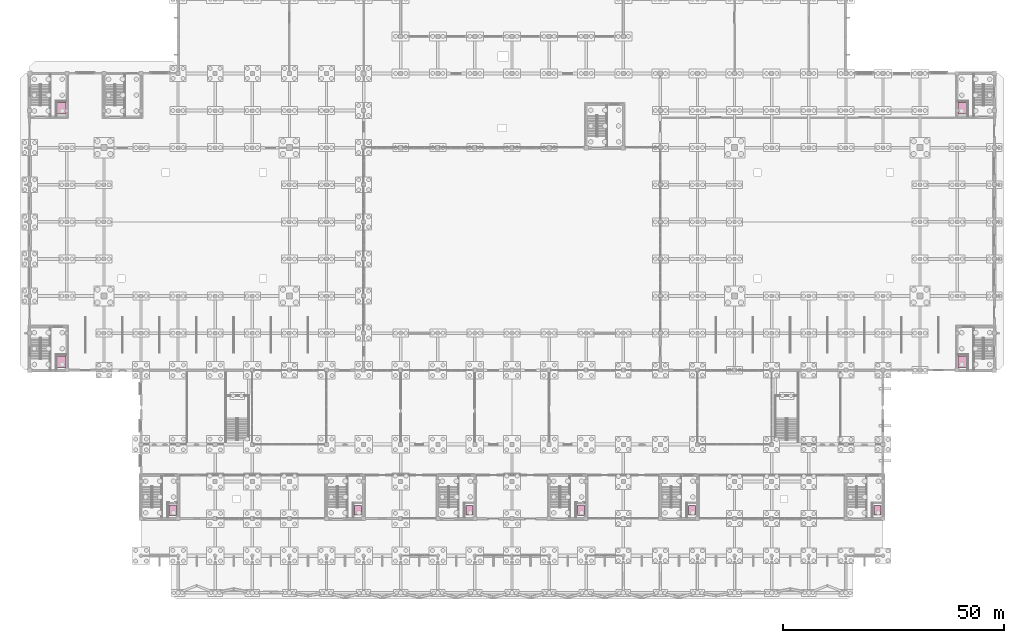
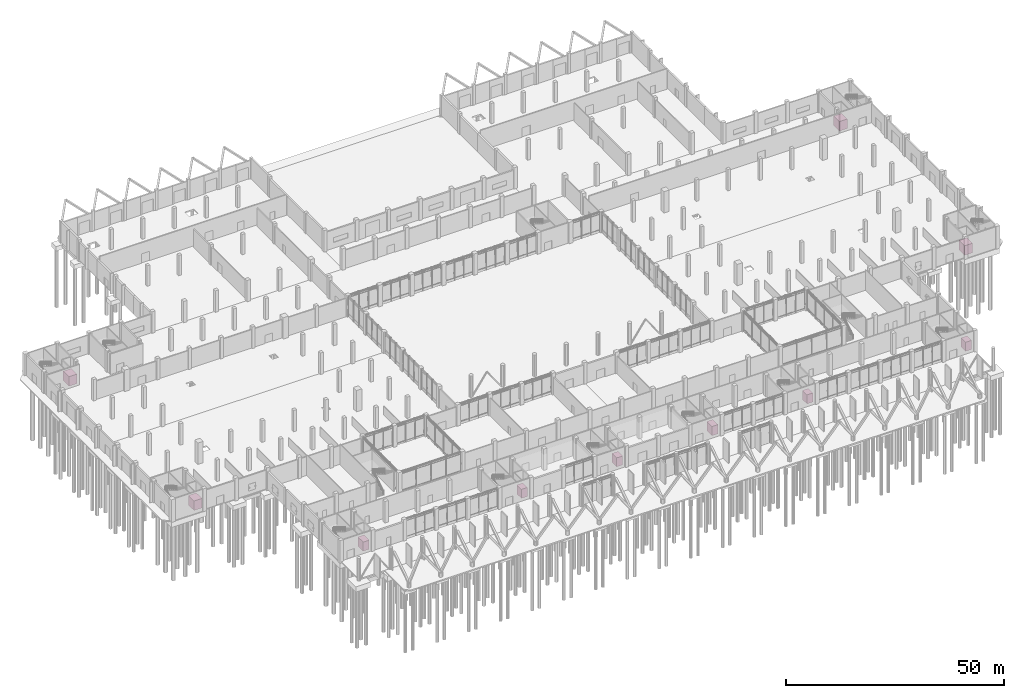
# One storey, part 72 of 72: 10 transport elements.
"""IFC4 building model written with IfcOpenShell, lengths in metres."""

from ifc_helpers import new_model, si_unit, direction, frame, origin, origin_2d, place, context, subcontext, project, spatial, rectangle, extrude, material, type_object, element, save


model = new_model("IFC4")

# Units and contexts
model_context = context("Model", 3, precision=1e-05, world=origin(), true_north=direction((0.0, 1.0)))
body_context = subcontext(model_context, "Body", "Model", "MODEL_VIEW")
ifc_project = project(units=[si_unit("LENGTHUNIT", "METRE"), si_unit("AREAUNIT", "SQUARE_METRE"), si_unit("VOLUMEUNIT", "CUBIC_METRE"), si_unit("PLANEANGLEUNIT", "RADIAN"), si_unit("MASSUNIT", "GRAM", prefix="KILO")], contexts=[model_context])

# Site, building, storey
site_placement = place(None, origin())
site = spatial("IfcSite", under=ifc_project, at=site_placement, CompositionType="ELEMENT")
building_placement = place(site_placement, origin())
building = spatial("IfcBuilding", under=site, at=building_placement, Name="Qawsi Khor Wholesale Market", CompositionType="ELEMENT")
storey_placement = place(building_placement, origin())
storey = spatial("IfcBuildingStorey", under=building, at=storey_placement, Name="L00", CompositionType="ELEMENT", Elevation=0.0)

# Transport elements
ifc_material_1 = material(Name="Fire-Rated Stainless Steel Car", Category="steel")
transport_element_type_1 = type_object("IfcTransportElementType", Name="Firefighting & Stretcher Lift 1600x2400 (1600 kg)", PredefinedType="ELEVATOR", material=ifc_material_1)
for number, where, z_axis, x_axis, name in (
    (1, (32.3798828125, 10.300048828125, 0.0), (0.0, 0.0, 1.0), (1.0, 0.0, 0.0), "Lift FF-01 (firefighting)"),
    (2, (124.780029296875, 10.300048828125, 0.0), (0.0, 0.0, 1.0), (1.0, 0.0, 0.0), "Lift FF-02 (firefighting)"),
):
    element("IfcTransportElement", number, at=place(storey_placement, frame(where, z_axis=z_axis, x_axis=x_axis)), inside=storey, type_object=transport_element_type_1, Name=name, PredefinedType="ELEVATOR", context=body_context, shape_type="SweptSolid", body=[
        extrude(rectangle(XDim=1.60009765625, YDim=2.39990234375, at=origin_2d()), origin(), (0.0, 0.0, 1.0), 2.550048828125),
    ])
ifc_material_2 = material(Name="Chequer-Plate Goods Lift Car", Category="steel")
transport_element_type_2 = type_object("IfcTransportElementType", Name="Heavy Goods Pallet Lift 2100x2600 (3500 kg)", PredefinedType="ELEVATOR", material=ifc_material_2)
for number, where, z_axis, x_axis, name in (
    (3, (7.179931640625, 43.89990234375, 0.0), (0.0, 0.0, 1.0), (1.0, 0.0, 0.0), "Lift GL-01 (goods)"),
    (4, (7.179931640625, 101.300048828125, 0.0), (0.0, 0.0, 1.0), (1.0, 0.0, 0.0), "Lift GL-02 (goods)"),
    (5, (211.219970703125, 43.89990234375, 0.0), (0.0, 0.0, 1.0), (1.0, 0.0, 0.0), "Lift GL-03 (goods)"),
    (6, (211.219970703125, 101.300048828125, 0.0), (0.0, 0.0, 1.0), (1.0, 0.0, 0.0), "Lift GL-04 (goods)"),
):
    element("IfcTransportElement", number, at=place(storey_placement, frame(where, z_axis=z_axis, x_axis=x_axis)), inside=storey, type_object=transport_element_type_2, Name=name, PredefinedType="ELEVATOR", context=body_context, shape_type="SweptSolid", body=[
        extrude(rectangle(XDim=2.10009765625, YDim=2.60009765625, at=origin_2d()), origin(), (0.0, 0.0, 1.0), 2.64990234375),
    ])
ifc_material_3 = material(Name="Stainless Steel Lift Car", Category="steel")
transport_element_type_3 = type_object("IfcTransportElementType", Name="Passenger Lift 1600x2100 (1350 kg)", PredefinedType="ELEVATOR", material=ifc_material_3)
for number, where, z_axis, x_axis, name in (
    (7, (74.3798828125, 10.300048828125, 0.0), (0.0, 0.0, 1.0), (1.0, 0.0, 0.0), "Lift PL-01 (passenger)"),
    (8, (99.580078125, 10.300048828125, 0.0), (0.0, 0.0, 1.0), (1.0, 0.0, 0.0), "Lift PL-02 (passenger)"),
    (9, (149.97998046875, 10.300048828125, 0.0), (0.0, 0.0, 1.0), (1.0, 0.0, 0.0), "Lift PL-03 (passenger)"),
    (10, (191.97998046875, 10.300048828125, 0.0), (0.0, 0.0, 1.0), (1.0, 0.0, 0.0), "Lift PL-04 (passenger)"),
):
    element("IfcTransportElement", number, at=place(storey_placement, frame(where, z_axis=z_axis, x_axis=x_axis)), inside=storey, type_object=transport_element_type_3, Name=name, PredefinedType="ELEVATOR", context=body_context, shape_type="SweptSolid", body=[
        extrude(rectangle(XDim=1.60009765625, YDim=2.10009765625, at=origin_2d()), origin(), (0.0, 0.0, 1.0), 2.5),
    ])

save(model, "model.ifc")
